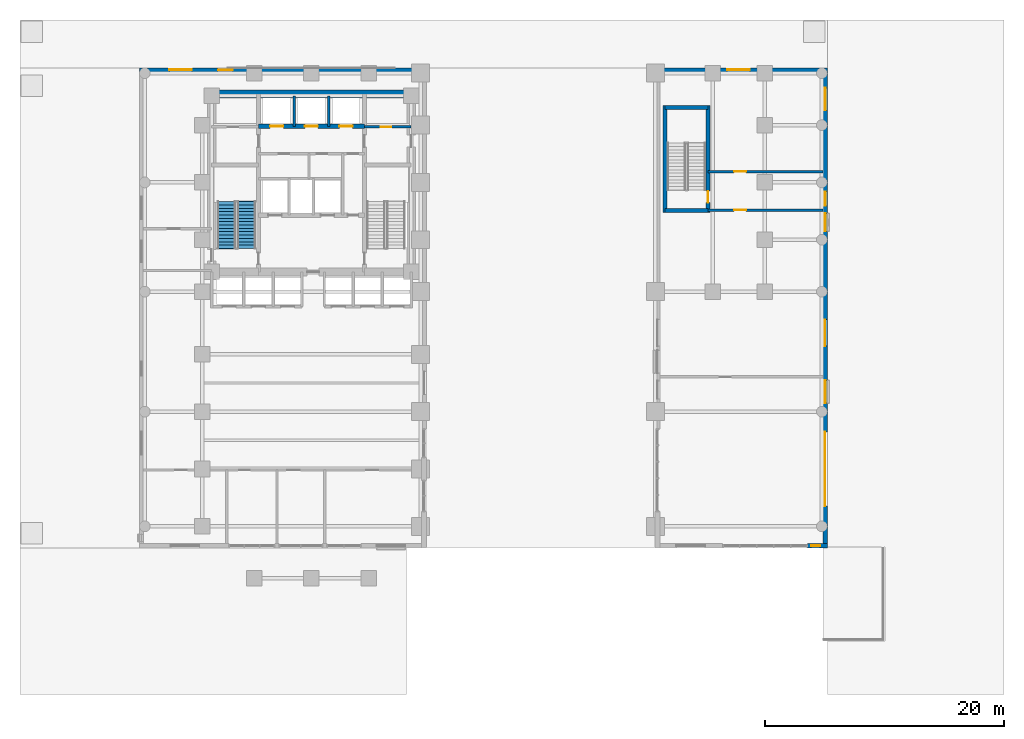
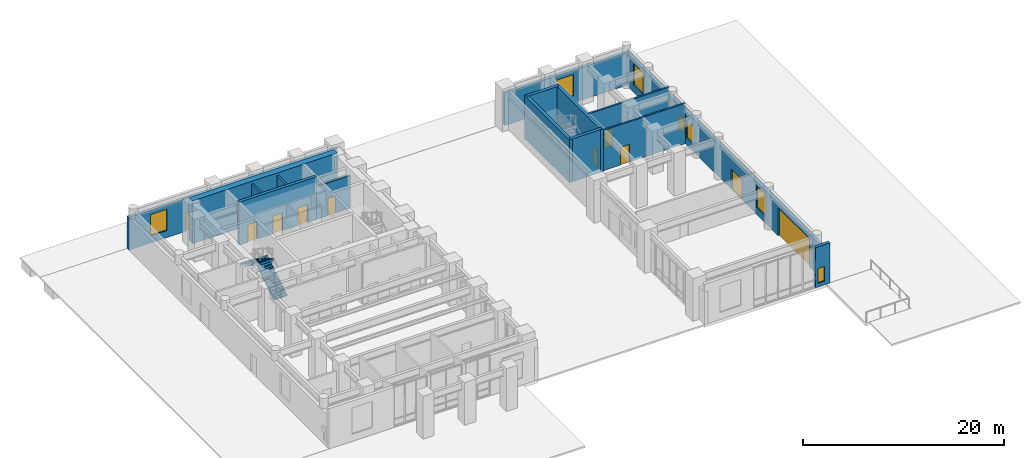
# One storey, part 10 of 16: 15 walls, 10 doors, 7 windows, 2 stair flights, 17 openings, 1 element without a shape of its own.
"""IFC4 building model written with IfcOpenShell, lengths in metres."""

from ifc_helpers import new_model, si_unit, direction, frame, frame_2d, origin, place, context, subcontext, project, spatial, polyline, rectangle, outline, extrude, material, layer, layer_set, type_object, element, fill, aggregate, save


model = new_model("IFC4")

# Units and contexts
model_context = context("Model", 3, precision=1e-05, world=origin(), true_north=direction((0.0, 1.0)))
body_context = subcontext(model_context, "Body", "Model", "MODEL_VIEW")
ifc_project = project(units=[si_unit("LENGTHUNIT", "METRE"), si_unit("AREAUNIT", "SQUARE_METRE"), si_unit("VOLUMEUNIT", "CUBIC_METRE"), si_unit("PLANEANGLEUNIT", "RADIAN"), si_unit("MASSUNIT", "GRAM", prefix="KILO")], contexts=[model_context])

# Site, building, storey
site_placement = place(None, origin())
site = spatial("IfcSite", under=ifc_project, at=site_placement, CompositionType="ELEMENT")
building_placement = place(site_placement, origin())
building = spatial("IfcBuilding", under=site, at=building_placement, Name="Orvandelia Arch Residences", CompositionType="ELEMENT")
storey_placement = place(building_placement, origin())
storey = spatial("IfcBuildingStorey", under=building, at=storey_placement, Name="L00", CompositionType="ELEMENT", Elevation=0.0)

# Wall, openings, doors
ifc_material_1 = material(Name="Concrete C50/60", Category="concrete")
ifc_layer_1 = layer(ifc_material_1, 0.35009765625, Name="Concrete C50/60", Category="concrete")
ifc_layer_set_1 = layer_set([ifc_layer_1], Name="Concrete C50/60")
wall_type_1 = type_object("IfcWallType", Name="WL-CORE-350", PredefinedType="SHEAR", material=ifc_layer_set_1)
wall_1_placement = place(storey_placement, frame((9.9599609375, 43.10009765625, 0.0), z_axis=(0.0, 0.0, 1.0), x_axis=(1.0, 0.0, 0.0)))
wall_1 = element("IfcWall", 1, at=wall_1_placement, inside=storey, type_object=wall_type_1, Name="Core Shear Wall L00-HZ4", PredefinedType="SHEAR", context=body_context, shape_type="SweptSolid", body=[
    extrude(rectangle(XDim=8.880126953125, YDim=0.35009765625, at=frame_2d((4.43994140625, 0.0))), origin(), (0.0, 0.0, 1.0), 5.199951171875),
])
opening_1_placement = place(wall_1_placement, frame((0.989990234375, 0.0, 0.0)))
opening_1 = element("IfcOpeningElement", 2, at=opening_1_placement, cuts=wall_1, Name="Opening LD", PredefinedType="OPENING", context=body_context, shape_type="SweptSolid", body=[
    extrude(rectangle(XDim=1.10009765625, YDim=2.14990234375, at=frame_2d((0.550048828125, 1.074951171875))), frame((0.0, 0.18505859375, 0.0), z_axis=(0.0, -1.0, 0.0), x_axis=(1.0, 0.0, 0.0)), (0.0, 0.0, 1.0), 0.3701171875),
])
opening_2_placement = place(wall_1_placement, frame((3.889892578125, 0.0, 0.0)))
opening_2 = element("IfcOpeningElement", 3, at=opening_2_placement, cuts=wall_1, Name="Opening LD", PredefinedType="OPENING", context=body_context, shape_type="SweptSolid", body=[
    extrude(rectangle(XDim=1.10009765625, YDim=2.14990234375, at=frame_2d((0.550048828125, 1.074951171875))), frame((0.0, 0.18505859375, 0.0), z_axis=(0.0, -1.0, 0.0), x_axis=(1.0, 0.0, 0.0)), (0.0, 0.0, 1.0), 0.3701171875),
])
opening_3_placement = place(wall_1_placement, frame((6.7900390625, 0.0, 0.0)))
opening_3 = element("IfcOpeningElement", 4, at=opening_3_placement, cuts=wall_1, Name="Opening LD", PredefinedType="OPENING", context=body_context, shape_type="SweptSolid", body=[
    extrude(rectangle(XDim=1.10009765625, YDim=2.14990234375, at=frame_2d((0.550048828125, 1.074951171875))), frame((0.0, 0.18505859375, 0.0), z_axis=(0.0, -1.0, 0.0), x_axis=(1.0, 0.0, 0.0)), (0.0, 0.0, 1.0), 0.3701171875),
])
ifc_material_2 = material(Name="Brushed Stainless Steel Sliding Lift Door", Category="steel")
door_type_1 = type_object("IfcDoorType", Name="DR-LIFT-1100", OperationType="NOTDEFINED", PredefinedType="DOOR", material=ifc_material_2)
door_1_placement = place(opening_1_placement, origin())
door_1 = element("IfcDoor", 5, at=door_1_placement, inside=storey, type_object=door_type_1, Name="Lift Landing Door LD-PH1-L00", OperationType="SLIDING_TO_LEFT", OverallHeight=2.14990234375, OverallWidth=1.10009765625, PredefinedType="DOOR", context=body_context, shape_type="SweptSolid", body=[
    extrude(rectangle(XDim=1.10009765625, YDim=2.14990234375, at=frame_2d((0.550048828125, 1.074951171875))), frame((0.0, 0.02490234375, 0.0), z_axis=(0.0, -1.0, 0.0), x_axis=(1.0, 0.0, 0.0)), (0.0, 0.0, 1.0), 0.050048828125),
])
fill(opening_1, door_1)
door_2_placement = place(opening_2_placement, origin())
door_2 = element("IfcDoor", 6, at=door_2_placement, inside=storey, type_object=door_type_1, Name="Lift Landing Door LD-PH2-L00", OperationType="SLIDING_TO_RIGHT", OverallHeight=2.14990234375, OverallWidth=1.10009765625, PredefinedType="DOOR", context=body_context, shape_type="SweptSolid", body=[
    extrude(rectangle(XDim=1.10009765625, YDim=2.14990234375, at=frame_2d((0.550048828125, 1.074951171875))), frame((0.0, 0.02490234375, 0.0), z_axis=(0.0, -1.0, 0.0), x_axis=(1.0, 0.0, 0.0)), (0.0, 0.0, 1.0), 0.050048828125),
])
fill(opening_2, door_2)
door_3_placement = place(opening_3_placement, origin())
door_3 = element("IfcDoor", 7, at=door_3_placement, inside=storey, type_object=door_type_1, Name="Lift Landing Door LD-PH3-L00", OperationType="SLIDING_TO_LEFT", OverallHeight=2.14990234375, OverallWidth=1.10009765625, PredefinedType="DOOR", context=body_context, shape_type="SweptSolid", body=[
    extrude(rectangle(XDim=1.10009765625, YDim=2.14990234375, at=frame_2d((0.550048828125, 1.074951171875))), frame((0.0, 0.02490234375, 0.0), z_axis=(0.0, -1.0, 0.0), x_axis=(1.0, 0.0, 0.0)), (0.0, 0.0, 1.0), 0.050048828125),
])
fill(opening_3, door_3)

# Wall
wall_2_placement = place(storey_placement, frame((44.02001953125, 35.864990234375, 0.0), z_axis=(0.0, 0.0, 1.0), x_axis=(0.0, 1.0, 0.0)))
element("IfcWall", 8, at=wall_2_placement, inside=storey, type_object=wall_type_1, Name="East Stair Core Shear Wall L00-W", PredefinedType="SHEAR", context=body_context, shape_type="SweptSolid", body=[
    extrude(rectangle(XDim=8.969970703125, YDim=0.35009765625, at=frame_2d((4.48486328125, 0.0))), origin(), (0.0, 0.0, 1.0), 5.199951171875),
])

# Wall, opening, door
wall_3_placement = place(storey_placement, frame((47.60009765625, 35.864990234375, 0.0), z_axis=(0.0, 0.0, 1.0), x_axis=(0.0, 1.0, 0.0)))
wall_3 = element("IfcWall", 9, at=wall_3_placement, inside=storey, type_object=wall_type_1, Name="East Stair Core Shear Wall L00-E", PredefinedType="SHEAR", context=body_context, shape_type="SweptSolid", body=[
    extrude(rectangle(XDim=8.969970703125, YDim=0.35009765625, at=frame_2d((4.48486328125, 0.0))), origin(), (0.0, 0.0, 1.0), 5.199951171875),
])
opening_4_placement = place(wall_3_placement, frame((0.85009765625, 0.0, 0.0)))
opening_4 = element("IfcOpeningElement", 10, at=opening_4_placement, cuts=wall_3, Name="Opening D7", PredefinedType="OPENING", context=body_context, shape_type="SweptSolid", body=[
    extrude(rectangle(XDim=0.949951171875, YDim=2.10009765625, at=frame_2d((0.47509765625, 1.050048828125))), frame((0.0, 0.18505859375, 0.0), z_axis=(0.0, -1.0, 0.0), x_axis=(1.0, 0.0, 0.0)), (0.0, 0.0, 1.0), 0.3701171875),
])
ifc_material_3 = material(Name="Pressurised Stairwell Fire Door")
door_type_2 = type_object("IfcDoorType", Name="DR-STAIR-950", OperationType="NOTDEFINED", PredefinedType="DOOR", material=ifc_material_3)
door_4_placement = place(opening_4_placement, origin())
door_4 = element("IfcDoor", 11, at=door_4_placement, inside=storey, type_object=door_type_2, Name="East Stairwell ST-3 Fire Door L00", OperationType="SINGLE_SWING_RIGHT", OverallHeight=2.10009765625, OverallWidth=0.949951171875, PredefinedType="DOOR", context=body_context, shape_type="SweptSolid", body=[
    extrude(rectangle(XDim=0.949951171875, YDim=2.10009765625, at=frame_2d((0.47509765625, 1.050048828125))), frame((0.0, 0.02490234375, 0.0), z_axis=(0.0, -1.0, 0.0), x_axis=(1.0, 0.0, 0.0)), (0.0, 0.0, 1.0), 0.050048828125),
])
fill(opening_4, door_4)

# Walls
for number, where, z_axis, x_axis, name in (
    (12, (44.02001953125, 36.0400390625, 0.0), (0.0, 0.0, 1.0), (1.0, 0.0, 0.0), "East Stair Core Shear Wall L00-S"),
    (13, (44.02001953125, 44.659912109375, 0.0), (0.0, 0.0, 1.0), (1.0, 0.0, 0.0), "East Stair Core Shear Wall L00-N"),
):
    element("IfcWall", number, at=place(storey_placement, frame(where, z_axis=z_axis, x_axis=x_axis)), inside=storey, type_object=wall_type_1, Name=name, PredefinedType="SHEAR", context=body_context, shape_type="SweptSolid", body=[
        extrude(rectangle(XDim=3.580078125, YDim=0.35009765625, at=frame_2d((1.7900390625, 0.0))), origin(), (0.0, 0.0, 1.0), 5.199951171875),
    ])
ifc_material_4 = material(Name="Concrete C80/95", Category="concrete")
ifc_layer_2 = layer(ifc_material_4, 0.699951171875, Name="Concrete C80/95", Category="concrete")
ifc_layer_set_2 = layer_set([ifc_layer_2], Name="Concrete C80/95")
wall_type_2 = type_object("IfcWallType", Name="WL-CORE-700", PredefinedType="SHEAR", material=ifc_layer_set_2)
wall_4_placement = place(storey_placement, frame((6.050048828125, 45.800048828125, 0.0), z_axis=(0.0, 0.0, 1.0), x_axis=(1.0, 0.0, 0.0)))
element("IfcWall", 14, at=wall_4_placement, inside=storey, type_object=wall_type_2, Name="Core Shear Wall L00-N", PredefinedType="SHEAR", context=body_context, shape_type="SweptSolid", body=[
    extrude(rectangle(XDim=16.699951171875, YDim=0.699951171875, at=frame_2d((8.35009765625, 0.0))), origin(), (0.0, 0.0, 1.0), 5.199951171875),
])

# Wall, opening, door
ifc_material_5 = material(Name="Fire-Rated Corridor Partition")
ifc_layer_3 = layer(ifc_material_5, 0.199951171875, Name="Fire-Rated Corridor Partition")
ifc_layer_set_3 = layer_set([ifc_layer_3], Name="Fire-Rated Corridor Partition")
wall_type_3 = type_object("IfcWallType", Name="WL-CORR-200", PredefinedType="PARTITIONING", material=ifc_layer_set_3)
wall_5_placement = place(storey_placement, frame((47.60009765625, 36.080078125, 0.0), z_axis=(0.0, 0.0, 1.0), x_axis=(1.0, 0.0, 0.0)))
wall_5 = element("IfcWall", 15, at=wall_5_placement, inside=storey, type_object=wall_type_3, Name="Interior Partition Wall WL-L00-EP2", PredefinedType="PARTITIONING", context=body_context, shape_type="SweptSolid", body=[
    extrude(rectangle(XDim=9.639892578125, YDim=0.199951171875, at=frame_2d((4.81982421875, 0.0))), origin(), (0.0, 0.0, 1.0), 4.889892578125),
])
opening_5_placement = place(wall_5_placement, frame((2.199951171875, 0.0, 0.0)))
opening_5 = element("IfcOpeningElement", 16, at=opening_5_placement, cuts=wall_5, Name="Opening D6", PredefinedType="OPENING", context=body_context, shape_type="SweptSolid", body=[
    extrude(rectangle(XDim=1.0, YDim=2.14990234375, at=frame_2d((0.5, 1.074951171875))), frame((0.0, 0.10986328125, 0.0), z_axis=(0.0, -1.0, 0.0), x_axis=(1.0, 0.0, 0.0)), (0.0, 0.0, 1.0), 0.219970703125),
])
ifc_material_6 = material(Name="Smokeproof Painted Steel Fire Door", Category="steel")
door_type_3 = type_object("IfcDoorType", Name="DR-FD60-1000", OperationType="NOTDEFINED", PredefinedType="DOOR", material=ifc_material_6)
door_5_placement = place(opening_5_placement, origin())
door_5 = element("IfcDoor", 17, at=door_5_placement, inside=storey, type_object=door_type_3, Name="DR-L00-EP2", OperationType="SINGLE_SWING_RIGHT", OverallHeight=2.14990234375, OverallWidth=1.0, PredefinedType="DOOR", context=body_context, shape_type="SweptSolid", body=[
    extrude(rectangle(XDim=1.0, YDim=2.14990234375, at=frame_2d((0.5, 1.074951171875))), frame((0.0, 0.02490234375, 0.0), z_axis=(0.0, -1.0, 0.0), x_axis=(1.0, 0.0, 0.0)), (0.0, 0.0, 1.0), 0.050048828125),
])
fill(opening_5, door_5)

wall_6_placement = place(storey_placement, frame((47.60009765625, 39.300048828125, 0.0), z_axis=(0.0, 0.0, 1.0), x_axis=(1.0, 0.0, 0.0)))
wall_6 = element("IfcWall", 18, at=wall_6_placement, inside=storey, type_object=wall_type_3, Name="Interior Partition Wall WL-L00-EP3", PredefinedType="PARTITIONING", context=body_context, shape_type="SweptSolid", body=[
    extrude(rectangle(XDim=9.639892578125, YDim=0.199951171875, at=frame_2d((4.81982421875, 0.0))), origin(), (0.0, 0.0, 1.0), 4.889892578125),
])
opening_6_placement = place(wall_6_placement, frame((2.199951171875, 0.0, 0.0)))
opening_6 = element("IfcOpeningElement", 19, at=opening_6_placement, cuts=wall_6, Name="Opening D6", PredefinedType="OPENING", context=body_context, shape_type="SweptSolid", body=[
    extrude(rectangle(XDim=1.0, YDim=2.14990234375, at=frame_2d((0.5, 1.074951171875))), frame((0.0, 0.10986328125, 0.0), z_axis=(0.0, -1.0, 0.0), x_axis=(1.0, 0.0, 0.0)), (0.0, 0.0, 1.0), 0.219970703125),
])
door_6_placement = place(opening_6_placement, origin())
door_6 = element("IfcDoor", 20, at=door_6_placement, inside=storey, type_object=door_type_3, Name="DR-L00-EP3", OperationType="SINGLE_SWING_LEFT", OverallHeight=2.14990234375, OverallWidth=1.0, PredefinedType="DOOR", context=body_context, shape_type="SweptSolid", body=[
    extrude(rectangle(XDim=1.0, YDim=2.14990234375, at=frame_2d((0.5, 1.074951171875))), frame((0.0, 0.02490234375, 0.0), z_axis=(0.0, -1.0, 0.0), x_axis=(1.0, 0.0, 0.0)), (0.0, 0.0, 1.0), 0.050048828125),
])
fill(opening_6, door_6)

# Wall, openings, door, window
ifc_material_7 = material(Name="Precast concrete C40/50", Category="concrete")
ifc_layer_4 = layer(ifc_material_7, 0.35009765625, Name="Precast concrete C40/50", Category="concrete")
ifc_layer_set_4 = layer_set([ifc_layer_4], Name="Precast concrete C40/50")
wall_type_4 = type_object("IfcWallType", Name="WL-EXT-POD-350", PredefinedType="STANDARD", material=ifc_layer_set_4)
wall_7_placement = place(storey_placement, frame((0.0, 47.824951171875, 0.0), z_axis=(0.0, 0.0, 1.0), x_axis=(1.0, 0.0, 0.0)))
wall_7 = element("IfcWall", 21, at=wall_7_placement, inside=storey, type_object=wall_type_4, Name="Coral-Limestone Precast Facade Wall L00-001", PredefinedType="STANDARD", context=body_context, shape_type="SweptSolid", body=[
    extrude(rectangle(XDim=24.0, YDim=0.35009765625, at=frame_2d((12.0, 0.0))), origin(), (0.0, 0.0, 1.0), 3.969970703125),
])
opening_7_placement = place(wall_7_placement, frame((6.60009765625, 0.0, 0.0)))
opening_7 = element("IfcOpeningElement", 22, at=opening_7_placement, cuts=wall_7, Name="Opening ED3", PredefinedType="OPENING", context=body_context, shape_type="SweptSolid", body=[
    extrude(rectangle(XDim=1.199951171875, YDim=2.25, at=frame_2d((0.60009765625, 1.125))), frame((0.0, 0.18505859375, 0.0), z_axis=(0.0, -1.0, 0.0), x_axis=(1.0, 0.0, 0.0)), (0.0, 0.0, 1.0), 0.3701171875),
])
opening_8_placement = place(wall_7_placement, frame((2.5, 0.0, 0.85009765625)))
opening_8 = element("IfcOpeningElement", 23, at=opening_8_placement, cuts=wall_7, Name="Opening W7", PredefinedType="OPENING", context=body_context, shape_type="SweptSolid", body=[
    extrude(rectangle(XDim=1.89990234375, YDim=2.60009765625, at=frame_2d((0.949951171875, 1.300048828125))), frame((0.0, 0.18505859375, 0.0), z_axis=(0.0, -1.0, 0.0), x_axis=(1.0, 0.0, 0.0)), (0.0, 0.0, 1.0), 0.3701171875),
])
ifc_material_8 = material(Name="Painted Galvanised Steel Leaf", Category="steel")
door_type_4 = type_object("IfcDoorType", Name="DR-EXIT-SGL-1200", OperationType="NOTDEFINED", PredefinedType="DOOR", material=ifc_material_8)
door_7_placement = place(opening_7_placement, origin())
door_7 = element("IfcDoor", 24, at=door_7_placement, inside=storey, type_object=door_type_4, Name="North Retail Exit", OperationType="SINGLE_SWING_LEFT", OverallHeight=2.25, OverallWidth=1.199951171875, PredefinedType="DOOR", context=body_context, shape_type="SweptSolid", body=[
    extrude(rectangle(XDim=1.199951171875, YDim=2.25, at=frame_2d((0.60009765625, 1.125))), frame((0.0, 0.02490234375, 0.0), z_axis=(0.0, -1.0, 0.0), x_axis=(1.0, 0.0, 0.0)), (0.0, 0.0, 1.0), 0.050048828125),
])
fill(opening_7, door_7)
ifc_material_9 = material(Name="Laminated Acoustic Double Glazing", Category="glass")
window_type_1 = type_object("IfcWindowType", Name="WIN-POD-1900x2600", PartitioningType="SINGLE_PANEL", PredefinedType="WINDOW", material=ifc_material_9)
window_1_placement = place(opening_8_placement, origin())
window_1 = element("IfcWindow", 25, at=window_1_placement, inside=storey, type_object=window_type_1, Name="Recessed Punched Window L00-001", OverallHeight=2.60009765625, OverallWidth=1.89990234375, PartitioningType="SINGLE_PANEL", PredefinedType="WINDOW", context=body_context, shape_type="SweptSolid", body=[
    extrude(rectangle(XDim=1.89990234375, YDim=2.60009765625, at=frame_2d((0.949951171875, 1.300048828125))), frame((0.0, 0.030029296875, 0.0), z_axis=(0.0, -1.0, 0.0), x_axis=(1.0, 0.0, 0.0)), (0.0, 0.0, 1.0), 0.06005859375),
])
fill(opening_8, window_1)

# Wall, opening, window
wall_8_placement = place(storey_placement, frame((43.199951171875, 47.824951171875, 0.0), z_axis=(0.0, 0.0, 1.0), x_axis=(1.0, 0.0, 0.0)))
wall_8 = element("IfcWall", 26, at=wall_8_placement, inside=storey, type_object=wall_type_4, Name="Coral-Limestone Precast Facade Wall L00-010", PredefinedType="STANDARD", context=body_context, shape_type="SweptSolid", body=[
    extrude(rectangle(XDim=14.400146484375, YDim=0.35009765625, at=frame_2d((7.2001953125, 0.0))), origin(), (0.0, 0.0, 1.0), 3.969970703125),
])
opening_9_placement = place(wall_8_placement, frame((6.02490234375, 0.0, 0.85009765625)))
opening_9 = element("IfcOpeningElement", 27, at=opening_9_placement, cuts=wall_8, Name="Opening W7", PredefinedType="OPENING", context=body_context, shape_type="SweptSolid", body=[
    extrude(rectangle(XDim=1.89990234375, YDim=2.60009765625, at=frame_2d((0.949951171875, 1.300048828125))), frame((0.0, 0.18505859375, 0.0), z_axis=(0.0, -1.0, 0.0), x_axis=(1.0, 0.0, 0.0)), (0.0, 0.0, 1.0), 0.3701171875),
])
window_2_placement = place(opening_9_placement, origin())
window_2 = element("IfcWindow", 28, at=window_2_placement, inside=storey, type_object=window_type_1, Name="Recessed Punched Window L00-008", OverallHeight=2.60009765625, OverallWidth=1.89990234375, PartitioningType="SINGLE_PANEL", PredefinedType="WINDOW", context=body_context, shape_type="SweptSolid", body=[
    extrude(rectangle(XDim=1.89990234375, YDim=2.60009765625, at=frame_2d((0.949951171875, 1.300048828125))), frame((0.0, 0.030029296875, 0.0), z_axis=(0.0, -1.0, 0.0), x_axis=(1.0, 0.0, 0.0)), (0.0, 0.0, 1.0), 0.06005859375),
])
fill(opening_9, window_2)

# Wall, openings, doors, windows
wall_9_placement = place(storey_placement, frame((57.425048828125, 48.0, 0.0), z_axis=(0.0, 0.0, 1.0), x_axis=(0.0, -1.0, 0.0)))
wall_9 = element("IfcWall", 29, at=wall_9_placement, inside=storey, type_object=wall_type_4, Name="Coral-Limestone Precast Facade Wall L00-011", PredefinedType="STANDARD", context=body_context, shape_type="SweptSolid", body=[
    extrude(rectangle(XDim=40.199951171875, YDim=0.35009765625, at=frame_2d((20.10009765625, 0.0))), origin(), (0.0, 0.0, 1.0), 3.969970703125),
])
opening_10_placement = place(wall_9_placement, frame((30.5, 0.0, 0.0)))
opening_10 = element("IfcOpeningElement", 30, at=opening_10_placement, cuts=wall_9, Name="Opening VSG-01", PredefinedType="OPENING", context=body_context, shape_type="SweptSolid", body=[
    extrude(rectangle(XDim=6.199951171875, YDim=3.39990234375, at=frame_2d((3.10009765625, 1.699951171875))), frame((0.0, 0.18505859375, 0.0), z_axis=(0.0, -1.0, 0.0), x_axis=(1.0, 0.0, 0.0)), (0.0, 0.0, 1.0), 0.3701171875),
])
opening_11_placement = place(wall_9_placement, frame((21.10009765625, 0.0, 0.0)))
opening_11 = element("IfcOpeningElement", 31, at=opening_11_placement, cuts=wall_9, Name="Opening ED1", PredefinedType="OPENING", context=body_context, shape_type="SweptSolid", body=[
    extrude(rectangle(XDim=2.199951171875, YDim=2.449951171875, at=frame_2d((1.10009765625, 1.22509765625))), frame((0.0, 0.18505859375, 0.0), z_axis=(0.0, -1.0, 0.0), x_axis=(1.0, 0.0, 0.0)), (0.0, 0.0, 1.0), 0.3701171875),
])
opening_12_placement = place(wall_9_placement, frame((12.199951171875, 0.0, 0.85009765625)))
opening_12 = element("IfcOpeningElement", 32, at=opening_12_placement, cuts=wall_9, Name="Opening W2", PredefinedType="OPENING", context=body_context, shape_type="SweptSolid", body=[
    extrude(rectangle(XDim=1.5, YDim=2.10009765625, at=frame_2d((0.75, 1.050048828125))), frame((0.0, 0.18505859375, 0.0), z_axis=(0.0, -1.0, 0.0), x_axis=(1.0, 0.0, 0.0)), (0.0, 0.0, 1.0), 0.3701171875),
])
opening_13_placement = place(wall_9_placement, frame((10.375, 0.0, 0.85009765625)))
opening_13 = element("IfcOpeningElement", 33, at=opening_13_placement, cuts=wall_9, Name="Opening W3", PredefinedType="OPENING", context=body_context, shape_type="SweptSolid", body=[
    extrude(rectangle(XDim=1.199951171875, YDim=1.800048828125, at=frame_2d((0.60009765625, 0.89990234375))), frame((0.0, 0.18505859375, 0.0), z_axis=(0.0, -1.0, 0.0), x_axis=(1.0, 0.0, 0.0)), (0.0, 0.0, 1.0), 0.3701171875),
])
opening_14_placement = place(wall_9_placement, frame((1.675048828125, 0.0, 0.85009765625)))
opening_14 = element("IfcOpeningElement", 34, at=opening_14_placement, cuts=wall_9, Name="Opening W7", PredefinedType="OPENING", context=body_context, shape_type="SweptSolid", body=[
    extrude(rectangle(XDim=1.89990234375, YDim=2.60009765625, at=frame_2d((0.949951171875, 1.300048828125))), frame((0.0, 0.18505859375, 0.0), z_axis=(0.0, -1.0, 0.0), x_axis=(1.0, 0.0, 0.0)), (0.0, 0.0, 1.0), 0.3701171875),
])
opening_15_placement = place(wall_9_placement, frame((26.175048828125, 0.0, 0.85009765625)))
opening_15 = element("IfcOpeningElement", 35, at=opening_15_placement, cuts=wall_9, Name="Opening W7", PredefinedType="OPENING", context=body_context, shape_type="SweptSolid", body=[
    extrude(rectangle(XDim=1.89990234375, YDim=2.60009765625, at=frame_2d((0.949951171875, 1.300048828125))), frame((0.0, 0.18505859375, 0.0), z_axis=(0.0, -1.0, 0.0), x_axis=(1.0, 0.0, 0.0)), (0.0, 0.0, 1.0), 0.3701171875),
])
ifc_material_10 = material(Name="Anodised Bronze Framed Glazed Door")
door_type_5 = type_object("IfcDoorType", Name="DR-ENT-DBL-2200", OperationType="NOTDEFINED", PredefinedType="DOOR", material=ifc_material_10)
door_8_placement = place(opening_11_placement, origin())
door_8 = element("IfcDoor", 36, at=door_8_placement, inside=storey, type_object=door_type_5, Name="Promenade Cafe Entrance", OperationType="SINGLE_SWING_RIGHT", OverallHeight=2.449951171875, OverallWidth=2.199951171875, PredefinedType="DOOR", context=body_context, shape_type="SweptSolid", body=[
    extrude(rectangle(XDim=2.199951171875, YDim=2.449951171875, at=frame_2d((1.10009765625, 1.22509765625))), frame((0.0, 0.02490234375, 0.0), z_axis=(0.0, -1.0, 0.0), x_axis=(1.0, 0.0, 0.0)), (0.0, 0.0, 1.0), 0.050048828125),
])
fill(opening_11, door_8)
ifc_material_11 = material(Name="Perforated Aluminium Roller Shutter", Category="aluminium")
door_type_6 = type_object("IfcDoorType", Name="DR-VEH-GATE-6200", OperationType="NOTDEFINED", PredefinedType="GATE", material=ifc_material_11)
door_9_placement = place(opening_10_placement, origin())
door_9 = element("IfcDoor", 37, at=door_9_placement, inside=storey, type_object=door_type_6, Name="Car Park Entry Roller Shutter Gate VSG-01", OperationType="ROLLINGUP", OverallHeight=3.39990234375, OverallWidth=6.199951171875, PredefinedType="GATE", context=body_context, shape_type="SweptSolid", body=[
    extrude(rectangle(XDim=6.199951171875, YDim=3.39990234375, at=frame_2d((3.10009765625, 1.699951171875))), frame((0.0, 0.02490234375, 0.0), z_axis=(0.0, -1.0, 0.0), x_axis=(1.0, 0.0, 0.0)), (0.0, 0.0, 1.0), 0.050048828125),
])
fill(opening_10, door_9)
window_3_placement = place(opening_14_placement, origin())
window_3 = element("IfcWindow", 38, at=window_3_placement, inside=storey, type_object=window_type_1, Name="Recessed Punched Window L00-011", OverallHeight=2.60009765625, OverallWidth=1.89990234375, PartitioningType="SINGLE_PANEL", PredefinedType="WINDOW", context=body_context, shape_type="SweptSolid", body=[
    extrude(rectangle(XDim=1.89990234375, YDim=2.60009765625, at=frame_2d((0.949951171875, 1.300048828125))), frame((0.0, 0.030029296875, 0.0), z_axis=(0.0, -1.0, 0.0), x_axis=(1.0, 0.0, 0.0)), (0.0, 0.0, 1.0), 0.06005859375),
])
fill(opening_14, window_3)
window_4_placement = place(opening_15_placement, origin())
window_4 = element("IfcWindow", 39, at=window_4_placement, inside=storey, type_object=window_type_1, Name="Recessed Punched Window L00-012", OverallHeight=2.60009765625, OverallWidth=1.89990234375, PartitioningType="SINGLE_PANEL", PredefinedType="WINDOW", context=body_context, shape_type="SweptSolid", body=[
    extrude(rectangle(XDim=1.89990234375, YDim=2.60009765625, at=frame_2d((0.949951171875, 1.300048828125))), frame((0.0, 0.030029296875, 0.0), z_axis=(0.0, -1.0, 0.0), x_axis=(1.0, 0.0, 0.0)), (0.0, 0.0, 1.0), 0.06005859375),
])
fill(opening_15, window_4)
ifc_material_12 = material(Name="Tempered Low-E Insulated Glazing", Category="glass")
window_type_2 = type_object("IfcWindowType", Name="WIN-RES-1200x1800", PartitioningType="SINGLE_PANEL", PredefinedType="WINDOW", material=ifc_material_12)
window_5_placement = place(opening_13_placement, origin())
window_5 = element("IfcWindow", 40, at=window_5_placement, inside=storey, type_object=window_type_2, Name="Recessed Punched Window L00-010", OverallHeight=1.800048828125, OverallWidth=1.199951171875, PartitioningType="SINGLE_PANEL", PredefinedType="WINDOW", context=body_context, shape_type="SweptSolid", body=[
    extrude(rectangle(XDim=1.199951171875, YDim=1.800048828125, at=frame_2d((0.60009765625, 0.89990234375))), frame((0.0, 0.030029296875, 0.0), z_axis=(0.0, -1.0, 0.0), x_axis=(1.0, 0.0, 0.0)), (0.0, 0.0, 1.0), 0.06005859375),
])
fill(opening_13, window_5)
window_type_3 = type_object("IfcWindowType", Name="WIN-RES-1500x2100", PartitioningType="SINGLE_PANEL", PredefinedType="WINDOW", material=ifc_material_12)
window_6_placement = place(opening_12_placement, origin())
window_6 = element("IfcWindow", 41, at=window_6_placement, inside=storey, type_object=window_type_3, Name="Recessed Punched Window L00-009", OverallHeight=2.10009765625, OverallWidth=1.5, PartitioningType="SINGLE_PANEL", PredefinedType="WINDOW", context=body_context, shape_type="SweptSolid", body=[
    extrude(rectangle(XDim=1.5, YDim=2.10009765625, at=frame_2d((0.75, 1.050048828125))), frame((0.0, 0.030029296875, 0.0), z_axis=(0.0, -1.0, 0.0), x_axis=(1.0, 0.0, 0.0)), (0.0, 0.0, 1.0), 0.06005859375),
])
fill(opening_12, window_6)

# Wall, opening, window
wall_10_placement = place(storey_placement, frame((57.60009765625, 7.97509765625, 0.0), z_axis=(0.0, 0.0, 1.0), x_axis=(-1.0, 0.0, 0.0)))
wall_10 = element("IfcWall", 42, at=wall_10_placement, inside=storey, type_object=wall_type_4, Name="Coral-Limestone Precast Facade Wall L00-012", PredefinedType="STANDARD", context=body_context, shape_type="SweptSolid", body=[
    extrude(rectangle(XDim=1.64013671875, YDim=0.35009765625, at=frame_2d((0.820068359375, 0.0))), origin(), (0.0, 0.0, 1.0), 4.889892578125),
])
opening_16_placement = place(wall_10_placement, frame((0.60009765625, 0.0, 0.449951171875)))
opening_16 = element("IfcOpeningElement", 43, at=opening_16_placement, cuts=wall_10, Name="Opening W11", PredefinedType="OPENING", context=body_context, shape_type="SweptSolid", body=[
    extrude(rectangle(XDim=0.75, YDim=1.800048828125, at=frame_2d((0.375, 0.89990234375))), frame((0.0, 0.18505859375, 0.0), z_axis=(0.0, -1.0, 0.0), x_axis=(1.0, 0.0, 0.0)), (0.0, 0.0, 1.0), 0.3701171875),
])
window_type_4 = type_object("IfcWindowType", Name="WIN-BED-0750x1800", PartitioningType="SINGLE_PANEL", PredefinedType="WINDOW", material=ifc_material_12)
window_7_placement = place(opening_16_placement, origin())
window_7 = element("IfcWindow", 44, at=window_7_placement, inside=storey, type_object=window_type_4, Name="Recessed Punched Window L00-013", OverallHeight=1.800048828125, OverallWidth=0.75, PartitioningType="SINGLE_PANEL", PredefinedType="WINDOW", context=body_context, shape_type="SweptSolid", body=[
    extrude(rectangle(XDim=0.75, YDim=1.800048828125, at=frame_2d((0.375, 0.89990234375))), frame((0.0, 0.030029296875, 0.0), z_axis=(0.0, -1.0, 0.0), x_axis=(1.0, 0.0, 0.0)), (0.0, 0.0, 1.0), 0.06005859375),
])
fill(opening_16, window_7)

# Wall, opening, door
ifc_material_13 = material(Name="Fire-Rated Shaft Enclosure Wall")
ifc_layer_5 = layer(ifc_material_13, 0.199951171875, Name="Fire-Rated Shaft Enclosure Wall")
ifc_layer_set_5 = layer_set([ifc_layer_5], Name="Fire-Rated Shaft Enclosure Wall")
wall_type_5 = type_object("IfcWallType", Name="WL-SHAFT-200", PredefinedType="POLYGONAL", material=ifc_layer_set_5)
wall_11_placement = place(storey_placement, frame((18.840087890625, 43.050048828125, 0.0), z_axis=(0.0, 0.0, 1.0), x_axis=(1.0, 0.0, 0.0)))
wall_11 = element("IfcWall", 45, at=wall_11_placement, inside=storey, type_object=wall_type_5, Name="Interior Partition Wall WL-L00-HLE-N", PredefinedType="POLYGONAL", context=body_context, shape_type="SweptSolid", body=[
    extrude(rectangle(XDim=3.909912109375, YDim=0.199951171875, at=frame_2d((1.955078125, 0.0))), origin(), (0.0, 0.0, 1.0), 3.969970703125),
])
opening_17_placement = place(wall_11_placement, frame((1.35009765625, 0.0, 0.0)))
opening_17 = element("IfcOpeningElement", 46, at=opening_17_placement, cuts=wall_11, Name="Opening D5", PredefinedType="OPENING", context=body_context, shape_type="SweptSolid", body=[
    extrude(rectangle(XDim=0.8798828125, YDim=2.10009765625, at=frame_2d((0.43994140625, 1.050048828125))), frame((0.0, 0.10986328125, 0.0), z_axis=(0.0, -1.0, 0.0), x_axis=(1.0, 0.0, 0.0)), (0.0, 0.0, 1.0), 0.219970703125),
])
ifc_material_14 = material(Name="Painted Galvanised Steel Service Door", Category="steel")
door_type_7 = type_object("IfcDoorType", Name="DR-SRV-880", OperationType="NOTDEFINED", PredefinedType="DOOR", material=ifc_material_14)
door_10_placement = place(opening_17_placement, origin())
door_10 = element("IfcDoor", 47, at=door_10_placement, inside=storey, type_object=door_type_7, Name="DR-L00-CSB1", OperationType="SINGLE_SWING_LEFT", OverallHeight=2.10009765625, OverallWidth=0.8798828125, PredefinedType="DOOR", context=body_context, shape_type="SweptSolid", body=[
    extrude(rectangle(XDim=0.8798828125, YDim=2.10009765625, at=frame_2d((0.43994140625, 1.050048828125))), frame((0.0, 0.02490234375, 0.0), z_axis=(0.0, -1.0, 0.0), x_axis=(1.0, 0.0, 0.0)), (0.0, 0.0, 1.0), 0.050048828125),
])
fill(opening_17, door_10)

# Walls
for number, where, z_axis, x_axis, name in (
    (48, (12.949951171875, 43.10009765625, 0.0), (0.0, 0.0, 1.0), (0.0, 1.0, 0.0), "Interior Partition Wall WL-L00-PHD1"),
    (49, (15.85009765625, 43.10009765625, 0.0), (0.0, 0.0, 1.0), (0.0, 1.0, 0.0), "Interior Partition Wall WL-L00-PHD2"),
):
    element("IfcWall", number, at=place(storey_placement, frame(where, z_axis=z_axis, x_axis=x_axis)), inside=storey, type_object=wall_type_5, Name=name, PredefinedType="POLYGONAL", context=body_context, shape_type="SweptSolid", body=[
        extrude(rectangle(XDim=2.5498046875, YDim=0.199951171875, at=frame_2d((1.27490234375, 0.0))), origin(), (0.0, 0.0, 1.0), 4.889892578125),
    ])

# Stair, stair flights
ifc_material_15 = material(Name="Concrete C40/50", Category="concrete")
stair_type = type_object("IfcStairType", Name="STAIR-RC-DOGLEG", PredefinedType="HALF_TURN_STAIR", material=ifc_material_15)
stair_placement = place(storey_placement, origin())
stair = element("IfcStair", 50, at=stair_placement, inside=storey, type_object=stair_type, Name="L00 Protected Exit Stair ST-1", PredefinedType="HALF_TURN_STAIR")
stair_flight_type = type_object("IfcStairFlightType", Name="STFLT-RC-1520", PredefinedType="STRAIGHT", material=ifc_material_15)
stair_flight_1_placement = place(storey_placement, frame((8.9599609375, 32.8701171875, 0.0), z_axis=(0.0, 0.0, 1.0), x_axis=(0.0, 1.0, 0.0)))
stair_flight_1 = element("IfcStairFlight", 51, at=stair_flight_1_placement, type_object=stair_flight_type, Name="ST-1 flight 1", NumberOfRisers=15, NumberOfTreads=14, PredefinedType="STRAIGHT", RiserHeight=0.173333333, TreadLength=0.28, context=body_context, shape_type="SweptSolid", body=[
    extrude(outline(polyline([(0.0, 0.0), (0.0, 0.17333984375), (0.280029296875, 0.17333984375), (0.280029296875, 0.3466796875), (0.56005859375, 0.3466796875), (0.56005859375, 0.52001953125), (0.840087890625, 0.52001953125), (0.840087890625, 0.693359375), (1.1201171875, 0.693359375), (1.1201171875, 0.86669921875), (1.39990234375, 0.86669921875), (1.39990234375, 1.0400390625), (1.679931640625, 1.0400390625), (1.679931640625, 1.21337890625), (1.9599609375, 1.21337890625), (1.9599609375, 1.38671875), (2.239990234375, 1.38671875), (2.239990234375, 1.56005859375), (2.52001953125, 1.56005859375), (2.52001953125, 1.7333984375), (2.800048828125, 1.7333984375), (2.800048828125, 1.90673828125), (3.080078125, 1.90673828125), (3.080078125, 2.080078125), (3.360107421875, 2.080078125), (3.360107421875, 2.25341796875), (3.639892578125, 2.25341796875), (3.639892578125, 2.4267578125), (3.919921875, 2.4267578125), (3.919921875, 2.60009765625), (3.97998046875, 2.60009765625), (3.97998046875, 2.419921875), (3.919921875, 2.250244140625), (0.284912109375, 0.0), (0.0, 0.0)])), frame((0.0, 0.760009765625, 0.0), z_axis=(0.0, -1.0, 0.0), x_axis=(1.0, 0.0, 0.0)), (0.0, 0.0, 1.0), 1.52001953125),
])
stair_flight_2_placement = place(storey_placement, frame((7.2900390625, 36.7900390625, 2.60009765625), z_axis=(0.0, 0.0, 1.0), x_axis=(0.0, -1.0, 0.0)))
stair_flight_2 = element("IfcStairFlight", 52, at=stair_flight_2_placement, type_object=stair_flight_type, Name="ST-1 flight 2", NumberOfRisers=15, NumberOfTreads=14, PredefinedType="STRAIGHT", RiserHeight=0.173333333, TreadLength=0.28, context=body_context, shape_type="SweptSolid", body=[
    extrude(outline(polyline([(0.0, 0.0), (0.0, 0.17333984375), (0.280029296875, 0.17333984375), (0.280029296875, 0.3466796875), (0.56005859375, 0.3466796875), (0.56005859375, 0.52001953125), (0.840087890625, 0.52001953125), (0.840087890625, 0.693359375), (1.1201171875, 0.693359375), (1.1201171875, 0.86669921875), (1.39990234375, 0.86669921875), (1.39990234375, 1.0400390625), (1.679931640625, 1.0400390625), (1.679931640625, 1.21337890625), (1.9599609375, 1.21337890625), (1.9599609375, 1.38671875), (2.239990234375, 1.38671875), (2.239990234375, 1.56005859375), (2.52001953125, 1.56005859375), (2.52001953125, 1.7333984375), (2.800048828125, 1.7333984375), (2.800048828125, 1.90673828125), (3.080078125, 1.90673828125), (3.080078125, 2.080078125), (3.360107421875, 2.080078125), (3.360107421875, 2.25341796875), (3.639892578125, 2.25341796875), (3.639892578125, 2.4267578125), (3.919921875, 2.4267578125), (3.919921875, 2.60009765625), (3.97998046875, 2.60009765625), (3.97998046875, 2.419921875), (3.919921875, 2.250244140625), (0.284912109375, 0.0), (0.0, 0.0)])), frame((0.0, 0.760009765625, 0.0), z_axis=(0.0, -1.0, 0.0), x_axis=(1.0, 0.0, 0.0)), (0.0, 0.0, 1.0), 1.52001953125),
])
aggregate(stair, [stair_flight_1, stair_flight_2])

save(model, "model.ifc")
